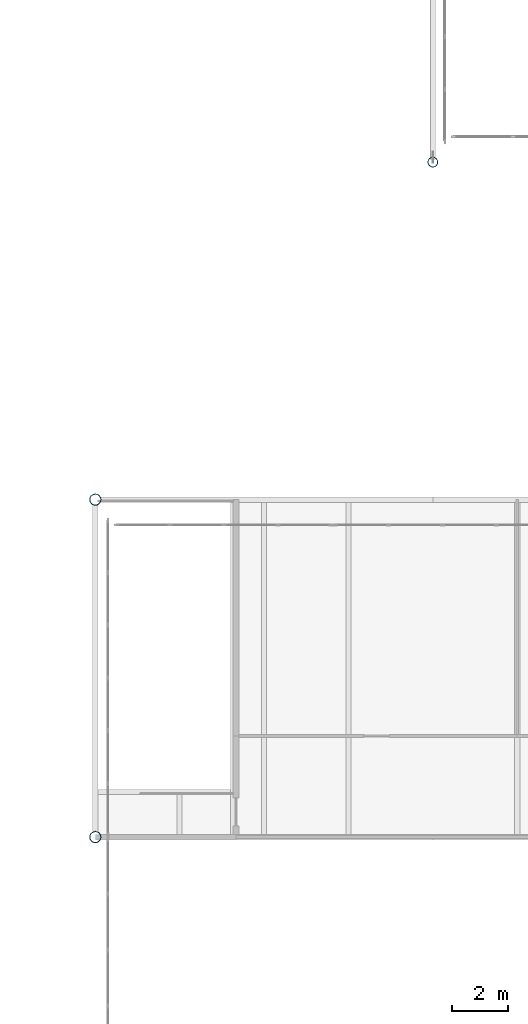
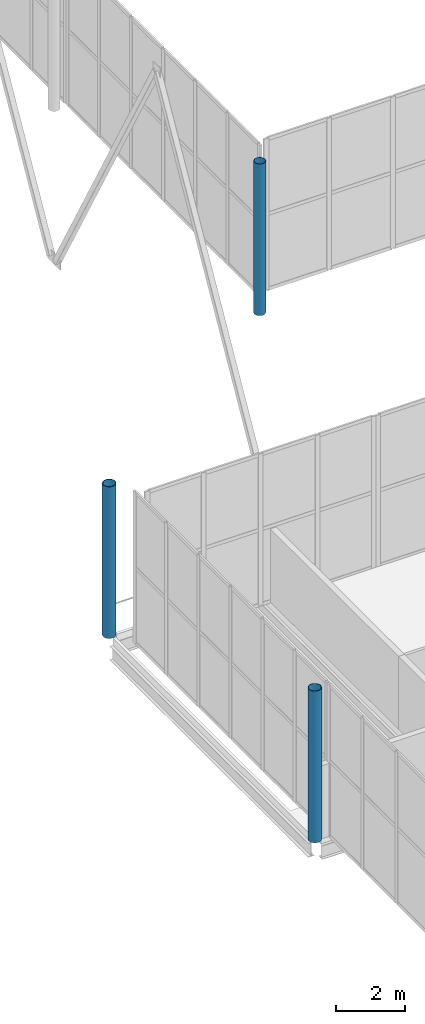
# One storey, part 16 of 170: 3 columns.
"""IFC4 building model written with IfcOpenShell, lengths in metres."""

from ifc_helpers import new_model, si_unit, direction, frame, origin, origin_2d, place, context, subcontext, project, spatial, hollow_circle, extrude, material, material_profile, profile_set, type_object, element, save


model = new_model("IFC4")

# Units and contexts
model_context = context("Model", 3, precision=1e-05, world=origin(), true_north=direction((0.0, 1.0)))
body_context = subcontext(model_context, "Body", "Model", "MODEL_VIEW")
ifc_project = project(units=[si_unit("LENGTHUNIT", "METRE"), si_unit("AREAUNIT", "SQUARE_METRE"), si_unit("VOLUMEUNIT", "CUBIC_METRE"), si_unit("PLANEANGLEUNIT", "RADIAN"), si_unit("MASSUNIT", "GRAM", prefix="KILO")], contexts=[model_context])

# Site, building, storey
site_placement = place(None, origin())
site = spatial("IfcSite", under=ifc_project, at=site_placement, CompositionType="ELEMENT")
building_placement = place(site_placement, origin())
building = spatial("IfcBuilding", under=site, at=building_placement, Name="Ravi Spectrum Wholesale Market", CompositionType="ELEMENT")
storey_placement = place(building_placement, frame((0.0, 0.0, 5.39990234375)))
storey = spatial("IfcBuildingStorey", under=building, at=storey_placement, Name="L01", CompositionType="ELEMENT", Elevation=5.39990234375)

# Columns
ifc_material_1 = material(Name="Steel S355", Category="steel")
ifc_material_profile_1 = material_profile(ifc_material_1, hollow_circle(Radius=0.177734375, WallThickness=0.012451171875, at=origin_2d()))
ifc_profile_set_1 = profile_set([ifc_material_profile_1], Name="Steel S355")
column_type_1 = type_object("IfcColumnType", Name="CHS 355.6x12.5 column", PredefinedType="COLUMN", material=ifc_profile_set_1)
column_placement = place(storey_placement, frame((162.0, 138.0, 0.0), z_axis=(0.0, 0.0, 1.0), x_axis=(1.0, 0.0, 0.0)))
element("IfcColumn", 1, at=column_placement, inside=storey, type_object=column_type_1, Name="H3-COL-L01-001", PredefinedType="COLUMN", context=body_context, shape_type="SweptSolid", body=[
    extrude(hollow_circle(Radius=0.177734375, WallThickness=0.012451171875, at=origin_2d()), origin(), (0.0, 0.0, 1.0), 5.400146484375),
])
ifc_material_2 = material(Name="Steel S355", Category="steel")
ifc_material_profile_2 = material_profile(ifc_material_2, hollow_circle(Radius=0.203125, WallThickness=0.01611328125, at=origin_2d()))
ifc_profile_set_2 = profile_set([ifc_material_profile_2], Name="Steel S355")
column_type_2 = type_object("IfcColumnType", Name="CHS 406.4x16 column", PredefinedType="COLUMN", material=ifc_profile_set_2)
for number, where, z_axis, x_axis, name in (
    (2, (150.0, 114.0, 0.0), (0.0, 0.0, 1.0), (1.0, 0.0, 0.0), "H2-COL-L01-004"),
    (3, (150.0, 126.0, 0.0), (0.0, 0.0, 1.0), (1.0, 0.0, 0.0), "H2-COL-L01-005"),
):
    element("IfcColumn", number, at=place(storey_placement, frame(where, z_axis=z_axis, x_axis=x_axis)), inside=storey, type_object=column_type_2, Name=name, PredefinedType="COLUMN", context=body_context, shape_type="SweptSolid", body=[
        extrude(hollow_circle(Radius=0.203125, WallThickness=0.01611328125, at=origin_2d()), origin(), (0.0, 0.0, 1.0), 5.400146484375),
    ])

save(model, "model.ifc")
